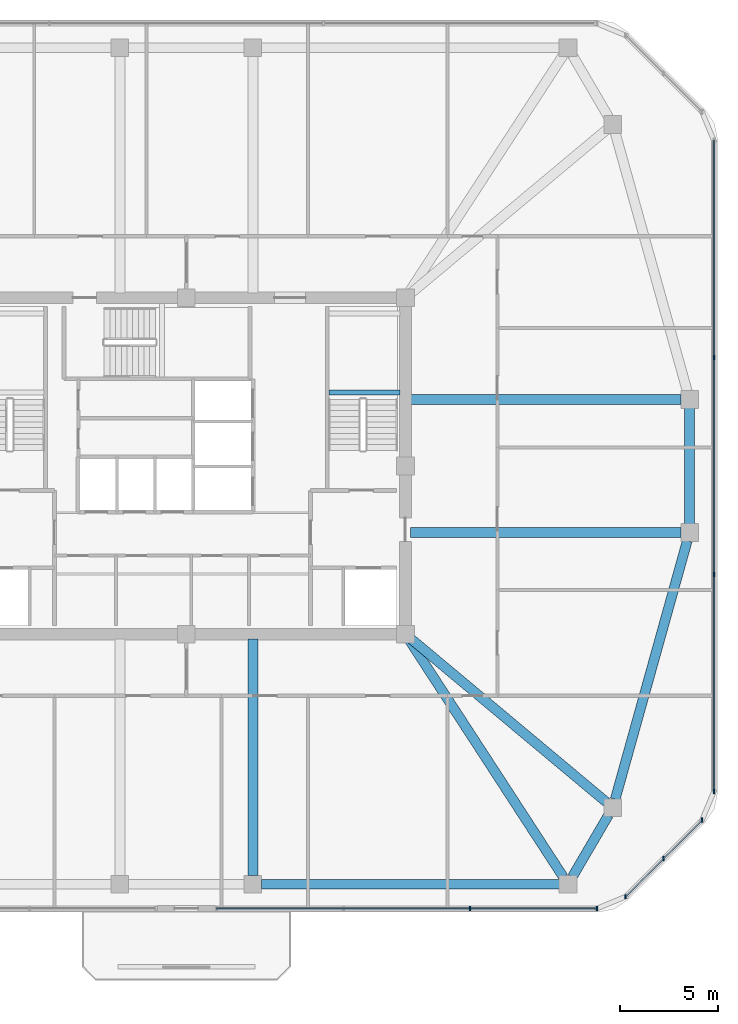
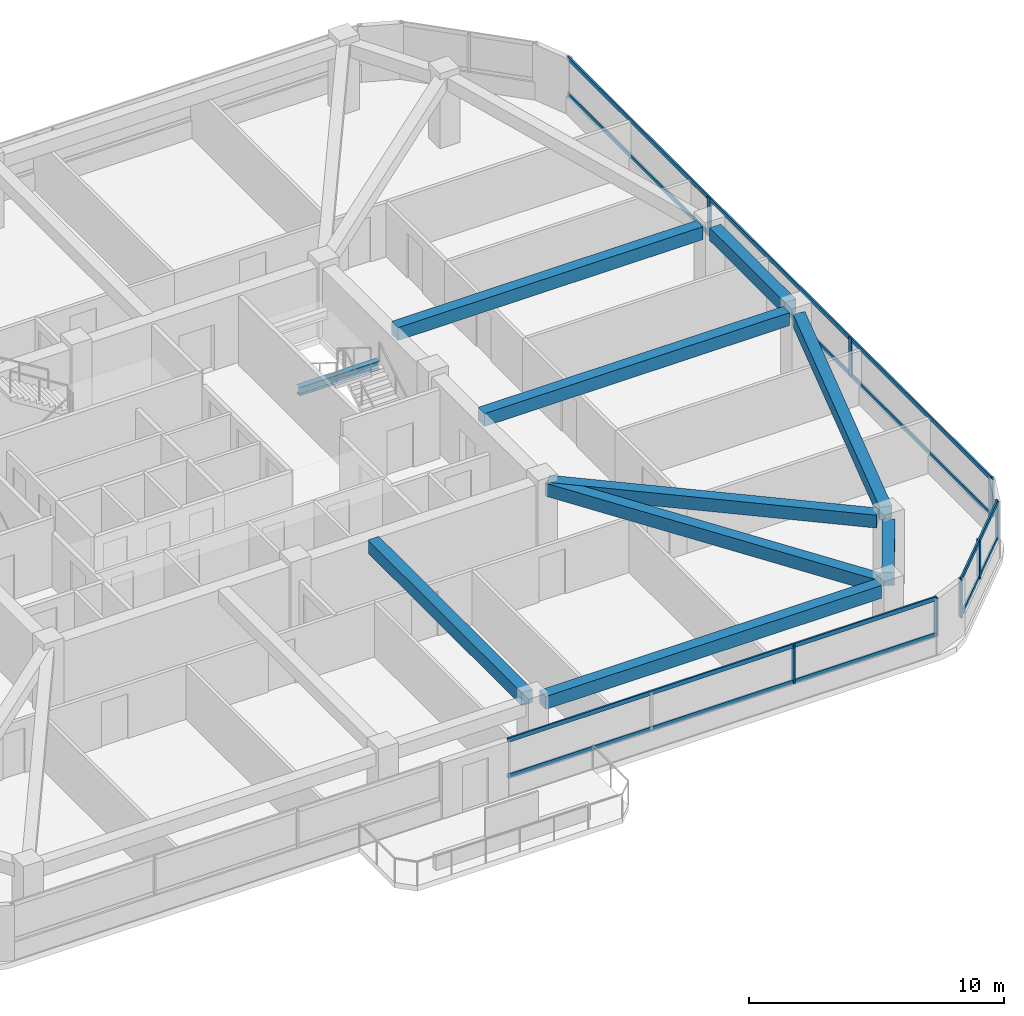
# One storey, part 3 of 13: 14 members, 10 beams, 3 elements without a shape of their own.
"""IFC4 building model written with IfcOpenShell, lengths in metres."""

from ifc_helpers import new_model, si_unit, derived_unit, direction, frame, origin, origin_2d, place, context, subcontext, project, spatial, rectangle, i_section, extrude, material, material_profile, profile_set, type_object, element, aggregate, save


model = new_model("IFC4")

# Units and contexts
model_context = context("Model", 3, precision=1e-05, world=origin(), true_north=direction((0.0, 1.0)))
body_context = subcontext(model_context, "Body", "Model", "MODEL_VIEW")
ifc_project = project(units=[si_unit("LENGTHUNIT", "METRE"), si_unit("AREAUNIT", "SQUARE_METRE"), si_unit("VOLUMEUNIT", "CUBIC_METRE"), si_unit("PLANEANGLEUNIT", "RADIAN"), si_unit("MASSUNIT", "GRAM", prefix="KILO"), derived_unit("THERMALTRANSMITTANCEUNIT", [(si_unit("POWERUNIT", "WATT"), 1), (si_unit("LENGTHUNIT", "METRE"), -2), (si_unit("THERMODYNAMICTEMPERATUREUNIT", "KELVIN"), -1)])], contexts=[model_context])

# Site, building, storey
site_placement = place(None, origin())
site = spatial("IfcSite", under=ifc_project, at=site_placement, CompositionType="ELEMENT")
building_placement = place(site_placement, origin())
building = spatial("IfcBuilding", under=site, at=building_placement, Name="Koralith Skygarden Medical Center", CompositionType="ELEMENT")
storey_placement = place(building_placement, frame((0.0, 0.0, 228.780029296875)))
storey = spatial("IfcBuildingStorey", under=building, at=storey_placement, Name="L59", CompositionType="ELEMENT", Elevation=228.780029296875)

# Curtain wall, members
ifc_material_1 = material(Name="Clear Laminated Glass", Category="glass")
curtain_wall_type = type_object("IfcCurtainWallType", Name="CW-5 Zone 4 Flare Biophilic Curtain Wall", PredefinedType="NOTDEFINED", material=ifc_material_1)
curtain_wall_1_placement = place(storey_placement, origin())
curtain_wall_1 = element("IfcCurtainWall", 1, at=curtain_wall_1_placement, inside=storey, type_object=curtain_wall_type, Name="Curtain Wall CW-L59-S-R", PredefinedType="NOTDEFINED")
ifc_material_2 = material(Name="Aluminium 6063-T6", Category="aluminium")
ifc_material_profile_1 = material_profile(ifc_material_2, rectangle(XDim=0.080078125, YDim=0.219970703125, at=origin_2d()), Name="MUL80X220")
ifc_profile_set_1 = profile_set([ifc_material_profile_1], Name="Aluminium 6063-T6")
member_type_1 = type_object("IfcMemberType", Name="CW-5 Extruded Mullion 80x220", PredefinedType="MULLION", material=ifc_profile_set_1)
member_1_placement = place(storey_placement, frame((51.50390625, 3.280029296875, 0.849853515625), z_axis=(0.0, 0.0, 1.0), x_axis=(1.0, 0.0, 0.0)))
member_1 = element("IfcMember", 2, at=member_1_placement, type_object=member_type_1, Name="CW-L59-S-R Mullion 3", PredefinedType="MULLION", context=body_context, shape_type="SweptSolid", body=[
    extrude(rectangle(XDim=0.080078125, YDim=0.219970703125, at=origin_2d()), origin(), (0.0, 0.0, 1.0), 1.820068359375),
])
member_2_placement = place(storey_placement, frame((57.987060546875, 3.280029296875, 0.849853515625), z_axis=(0.0, 0.0, 1.0), x_axis=(1.0, 0.0, 0.0)))
member_2 = element("IfcMember", 3, at=member_2_placement, type_object=member_type_1, Name="CW-L59-S-R Mullion 4", PredefinedType="MULLION", context=body_context, shape_type="SweptSolid", body=[
    extrude(rectangle(XDim=0.080078125, YDim=0.219970703125, at=origin_2d()), origin(), (0.0, 0.0, 1.0), 1.820068359375),
])

curtain_wall_2_placement = place(storey_placement, origin())
curtain_wall_2 = element("IfcCurtainWall", 4, at=curtain_wall_2_placement, inside=storey, type_object=curtain_wall_type, Name="Curtain Wall CW-L59-SE", PredefinedType="NOTDEFINED")
member_3_placement = place(storey_placement, frame((59.43798828125, 3.881103515625, 0.849853515625), z_axis=(0.0, 0.0, 1.0), x_axis=(1.0, 0.0, 0.0)))
member_3 = element("IfcMember", 5, at=member_3_placement, type_object=member_type_1, Name="CW-L59-SE Mullion 1", PredefinedType="MULLION", context=body_context, shape_type="SweptSolid", body=[
    extrude(rectangle(XDim=0.080078125, YDim=0.219970703125, at=origin_2d()), origin(), (0.0, 0.0, 1.0), 1.820068359375),
])
member_4_placement = place(storey_placement, frame((61.39892578125, 5.843017578125, 0.849853515625), z_axis=(0.0, 0.0, 1.0), x_axis=(1.0, 0.0, 0.0)))
member_4 = element("IfcMember", 6, at=member_4_placement, type_object=member_type_1, Name="CW-L59-SE Mullion 2", PredefinedType="MULLION", context=body_context, shape_type="SweptSolid", body=[
    extrude(rectangle(XDim=0.080078125, YDim=0.219970703125, at=origin_2d()), origin(), (0.0, 0.0, 1.0), 1.820068359375),
])
member_5_placement = place(storey_placement, frame((63.361083984375, 7.803955078125, 0.849853515625), z_axis=(0.0, 0.0, 1.0), x_axis=(1.0, 0.0, 0.0)))
member_5 = element("IfcMember", 7, at=member_5_placement, type_object=member_type_1, Name="CW-L59-SE Mullion 3", PredefinedType="MULLION", context=body_context, shape_type="SweptSolid", body=[
    extrude(rectangle(XDim=0.080078125, YDim=0.219970703125, at=origin_2d()), origin(), (0.0, 0.0, 1.0), 1.820068359375),
])

curtain_wall_3_placement = place(storey_placement, origin())
curtain_wall_3 = element("IfcCurtainWall", 8, at=curtain_wall_3_placement, inside=storey, type_object=curtain_wall_type, Name="Curtain Wall CW-L59-E", PredefinedType="NOTDEFINED")
member_6_placement = place(storey_placement, frame((63.9619140625, 9.2548828125, 0.849853515625), z_axis=(0.0, 0.0, 1.0), x_axis=(1.0, 0.0, 0.0)))
member_6 = element("IfcMember", 9, at=member_6_placement, type_object=member_type_1, Name="CW-L59-E Mullion 1", PredefinedType="MULLION", context=body_context, shape_type="SweptSolid", body=[
    extrude(rectangle(XDim=0.080078125, YDim=0.219970703125, at=origin_2d()), origin(), (0.0, 0.0, 1.0), 1.820068359375),
])
member_7_placement = place(storey_placement, frame((63.9619140625, 20.35205078125, 0.849853515625), z_axis=(0.0, 0.0, 1.0), x_axis=(1.0, 0.0, 0.0)))
member_7 = element("IfcMember", 10, at=member_7_placement, type_object=member_type_1, Name="CW-L59-E Mullion 2", PredefinedType="MULLION", context=body_context, shape_type="SweptSolid", body=[
    extrude(rectangle(XDim=0.080078125, YDim=0.219970703125, at=origin_2d()), origin(), (0.0, 0.0, 1.0), 1.820068359375),
])
member_8_placement = place(storey_placement, frame((63.9619140625, 31.447998046875, 0.849853515625), z_axis=(0.0, 0.0, 1.0), x_axis=(1.0, 0.0, 0.0)))
member_8 = element("IfcMember", 11, at=member_8_placement, type_object=member_type_1, Name="CW-L59-E Mullion 3", PredefinedType="MULLION", context=body_context, shape_type="SweptSolid", body=[
    extrude(rectangle(XDim=0.080078125, YDim=0.219970703125, at=origin_2d()), origin(), (0.0, 0.0, 1.0), 1.820068359375),
])

# Member
ifc_material_profile_2 = material_profile(ifc_material_2, rectangle(XDim=0.074951171875, YDim=0.197998046875, at=origin_2d()), Name="TRN75X198")
ifc_profile_set_2 = profile_set([ifc_material_profile_2], Name="Aluminium 6063-T6")
member_type_2 = type_object("IfcMemberType", Name="CW-5 Thermal Transom 75x198", PredefinedType="USERDEFINED", material=ifc_profile_set_2)
member_9_placement = place(storey_placement, frame((38.5390625, 3.280029296875, 0.89990234375), z_axis=(1.0, 0.0, 0.0), x_axis=(0.0, 1.0, 0.0)))
member_9 = element("IfcMember", 12, at=member_9_placement, type_object=member_type_2, Name="CW-L59-S-R Transom 1", ObjectType="TRANSOM", PredefinedType="USERDEFINED", context=body_context, shape_type="SweptSolid", body=[
    extrude(rectangle(XDim=0.074951171875, YDim=0.197998046875, at=origin_2d()), origin(), (0.0, 0.0, 1.0), 19.447998046875),
])

member_10_placement = place(storey_placement, frame((38.5390625, 3.280029296875, 2.619873046875), z_axis=(1.0, 0.0, 0.0), x_axis=(0.0, 1.0, 0.0)))
member_10 = element("IfcMember", 13, at=member_10_placement, type_object=member_type_2, Name="CW-L59-S-R Transom 2", ObjectType="TRANSOM", PredefinedType="USERDEFINED", context=body_context, shape_type="SweptSolid", body=[
    extrude(rectangle(XDim=0.074951171875, YDim=0.197998046875, at=origin_2d()), origin(), (0.0, 0.0, 1.0), 19.447998046875),
])

aggregate(curtain_wall_1, [member_1, member_2, member_9, member_10])

member_11_placement = place(storey_placement, frame((59.43798828125, 3.881103515625, 0.89990234375), z_axis=(0.707128783731, 0.707084777957, 0.0), x_axis=(-0.707084777957, 0.707128783731, 0.0)))
member_11 = element("IfcMember", 14, at=member_11_placement, type_object=member_type_2, Name="CW-L59-SE Transom 1", ObjectType="TRANSOM", PredefinedType="USERDEFINED", context=body_context, shape_type="SweptSolid", body=[
    extrude(rectangle(XDim=0.074951171875, YDim=0.197998046875, at=origin_2d()), origin(), (0.0, 0.0, 1.0), 5.5478515625),
])

member_12_placement = place(storey_placement, frame((59.43798828125, 3.881103515625, 2.619873046875), z_axis=(0.707128783731, 0.707084777957, 0.0), x_axis=(-0.707084777957, 0.707128783731, 0.0)))
member_12 = element("IfcMember", 15, at=member_12_placement, type_object=member_type_2, Name="CW-L59-SE Transom 2", ObjectType="TRANSOM", PredefinedType="USERDEFINED", context=body_context, shape_type="SweptSolid", body=[
    extrude(rectangle(XDim=0.074951171875, YDim=0.197998046875, at=origin_2d()), origin(), (0.0, 0.0, 1.0), 5.5478515625),
])

aggregate(curtain_wall_2, [member_3, member_4, member_5, member_11, member_12])

member_13_placement = place(storey_placement, frame((63.9619140625, 9.2548828125, 0.89990234375), z_axis=(0.0, 1.0, 0.0), x_axis=(-1.0, 0.0, 0.0)))
member_13 = element("IfcMember", 16, at=member_13_placement, type_object=member_type_2, Name="CW-L59-E Transom 1", ObjectType="TRANSOM", PredefinedType="USERDEFINED", context=body_context, shape_type="SweptSolid", body=[
    extrude(rectangle(XDim=0.074951171875, YDim=0.197998046875, at=origin_2d()), origin(), (0.0, 0.0, 1.0), 33.2900390625),
])

member_14_placement = place(storey_placement, frame((63.9619140625, 9.2548828125, 2.619873046875), z_axis=(0.0, 1.0, 0.0), x_axis=(-1.0, 0.0, 0.0)))
member_14 = element("IfcMember", 17, at=member_14_placement, type_object=member_type_2, Name="CW-L59-E Transom 2", ObjectType="TRANSOM", PredefinedType="USERDEFINED", context=body_context, shape_type="SweptSolid", body=[
    extrude(rectangle(XDim=0.074951171875, YDim=0.197998046875, at=origin_2d()), origin(), (0.0, 0.0, 1.0), 33.2900390625),
])

aggregate(curtain_wall_3, [member_6, member_7, member_8, member_13, member_14])

# Beams
ifc_material_3 = material(Name="Steel ASTM A992 Grade 50", Category="steel")
ifc_material_profile_3 = material_profile(ifc_material_3, i_section(OverallWidth=0.260009765625, OverallDepth=0.4150390625, WebThickness=0.010009765625, FlangeThickness=0.016845703125, at=origin_2d()), Name="W16X67")
ifc_profile_set_3 = profile_set([ifc_material_profile_3], Name="Steel ASTM A992 Grade 50")
beam_type_1 = type_object("IfcBeamType", Name="Clinical Floor Joist W16X67", PredefinedType="JOIST", material=ifc_profile_set_3)
beam_1_placement = place(storey_placement, frame((44.280029296875, 29.659912109375, 1.39306640625), z_axis=(1.0, 0.0, 0.0), x_axis=(0.0, 1.0, 0.0)))
element("IfcBeam", 18, at=beam_1_placement, inside=storey, type_object=beam_type_1, Name="L59 Stair ST2 Half-Landing Support Beam 1A", PredefinedType="JOIST", context=body_context, shape_type="SweptSolid", body=[
    extrude(i_section(OverallWidth=0.260009765625, OverallDepth=0.4150390625, WebThickness=0.010009765625, FlangeThickness=0.016845703125, at=origin_2d()), origin(), (0.0, 0.0, 1.0), 3.639892578125),
])
ifc_material_4 = material(Name="Concrete C45/55", Category="concrete")
ifc_material_profile_4 = material_profile(ifc_material_4, rectangle(XDim=0.5, YDim=0.6201171875, at=origin_2d()), Name="RCB500X620")
ifc_profile_set_4 = profile_set([ifc_material_profile_4], Name="Concrete C45/55")
beam_type_2 = type_object("IfcBeamType", Name="Upper Radial Collector Beam RCB500X620", PredefinedType="BEAM", material=ifc_profile_set_4)
beam_2_placement = place(storey_placement, frame((40.39990234375, 17.050048828125, 2.989990234375), z_axis=(0.0, -1.0, 0.0), x_axis=(1.0, 0.0, 0.0)))
element("IfcBeam", 19, at=beam_2_placement, inside=storey, type_object=beam_type_2, Name="L59 Radial Collector Beam RB-05", PredefinedType="BEAM", context=body_context, shape_type="SweptSolid", body=[
    extrude(rectangle(XDim=0.5, YDim=0.6201171875, at=origin_2d()), origin(), (0.0, 0.0, 1.0), 12.090087890625),
])
beam_3_placement = place(storey_placement, frame((48.3359375, 17.090087890625, 2.989990234375), z_axis=(0.5451487187, -0.838339355214, 0.0), x_axis=(0.838339355214, 0.5451487187, 0.0)))
element("IfcBeam", 20, at=beam_3_placement, inside=storey, type_object=beam_type_2, Name="L59 Radial Collector Beam RB-06", PredefinedType="BEAM", context=body_context, shape_type="SweptSolid", body=[
    extrude(rectangle(XDim=0.5, YDim=0.6201171875, at=origin_2d()), origin(), (0.0, 0.0, 1.0), 14.553955078125),
])
beam_4_placement = place(storey_placement, frame((48.39208984375, 17.139892578125, 2.989990234375), z_axis=(0.767298159165, -0.64129052304, 0.0), x_axis=(0.64129052304, 0.767298159165, 0.0)))
element("IfcBeam", 21, at=beam_4_placement, inside=storey, type_object=beam_type_2, Name="L59 Radial Collector Beam RB-07", PredefinedType="BEAM", context=body_context, shape_type="SweptSolid", body=[
    extrude(rectangle(XDim=0.5, YDim=0.6201171875, at=origin_2d()), origin(), (0.0, 0.0, 1.0), 13.126708984375),
])
for number, where, z_axis, x_axis, name in (
    (22, (48.449951171875, 22.5, 2.989990234375), (1.0, 0.0, 0.0), (0.0, 1.0, 0.0), "L59 Radial Collector Beam RB-08"),
    (23, (48.449951171875, 29.300048828125, 2.989990234375), (1.0, 0.0, 0.0), (0.0, 1.0, 0.0), "L59 Radial Collector Beam RB-09"),
):
    element("IfcBeam", number, at=place(storey_placement, frame(where, z_axis=z_axis, x_axis=x_axis)), inside=storey, type_object=beam_type_2, Name=name, PredefinedType="BEAM", context=body_context, shape_type="SweptSolid", body=[
        extrude(rectangle(XDim=0.5, YDim=0.6201171875, at=origin_2d()), origin(), (0.0, 0.0, 1.0), 13.83203125),
    ])
ifc_material_profile_5 = material_profile(ifc_material_4, rectangle(XDim=0.5, YDim=0.6201171875, at=origin_2d()), Name="RCB500X620")
ifc_profile_set_5 = profile_set([ifc_material_profile_5], Name="Concrete C45/55")
beam_type_3 = type_object("IfcBeamType", Name="Zone 4-5 Spandrel Beam RCB500X620", PredefinedType="SPANDREL", material=ifc_profile_set_5)
beam_5_placement = place(storey_placement, frame((40.840087890625, 4.52001953125, 2.989990234375), z_axis=(1.0, 0.0, 0.0), x_axis=(0.0, 1.0, 0.0)))
element("IfcBeam", 24, at=beam_5_placement, inside=storey, type_object=beam_type_3, Name="L59 Perimeter Spandrel Beam SP-05", PredefinedType="SPANDREL", context=body_context, shape_type="SweptSolid", body=[
    extrude(rectangle(XDim=0.5, YDim=0.6201171875, at=origin_2d()), origin(), (0.0, 0.0, 1.0), 15.22998046875),
])
beam_6_placement = place(storey_placement, frame((56.73193359375, 4.89990234375, 2.989990234375), z_axis=(0.504832687441, 0.863217213505, 0.0), x_axis=(-0.863217213505, 0.504832687441, 0.0)))
element("IfcBeam", 25, at=beam_6_placement, inside=storey, type_object=beam_type_3, Name="L59 Perimeter Spandrel Beam SP-06", PredefinedType="SPANDREL", context=body_context, shape_type="SweptSolid", body=[
    extrude(rectangle(XDim=0.5, YDim=0.6201171875, at=origin_2d()), origin(), (0.0, 0.0, 1.0), 3.660888671875),
])
beam_7_placement = place(storey_placement, frame((58.919921875, 8.864013671875, 2.989990234375), z_axis=(0.26859849356, 0.96325222515, 0.0), x_axis=(-0.96325222515, 0.26859849356, 0.0)))
element("IfcBeam", 26, at=beam_7_placement, inside=storey, type_object=beam_type_3, Name="L59 Perimeter Spandrel Beam SP-07", PredefinedType="SPANDREL", context=body_context, shape_type="SweptSolid", body=[
    extrude(rectangle(XDim=0.5, YDim=0.6201171875, at=origin_2d()), origin(), (0.0, 0.0, 1.0), 13.716064453125),
])
beam_8_placement = place(storey_placement, frame((62.721923828125, 22.93994140625, 2.989990234375), z_axis=(0.0, 1.0, 0.0), x_axis=(-1.0, 0.0, 0.0)))
element("IfcBeam", 27, at=beam_8_placement, inside=storey, type_object=beam_type_3, Name="L59 Perimeter Spandrel Beam SP-08", PredefinedType="SPANDREL", context=body_context, shape_type="SweptSolid", body=[
    extrude(rectangle(XDim=0.5, YDim=0.6201171875, at=origin_2d()), origin(), (0.0, 0.0, 1.0), 5.920166015625),
])

save(model, "model.ifc")
